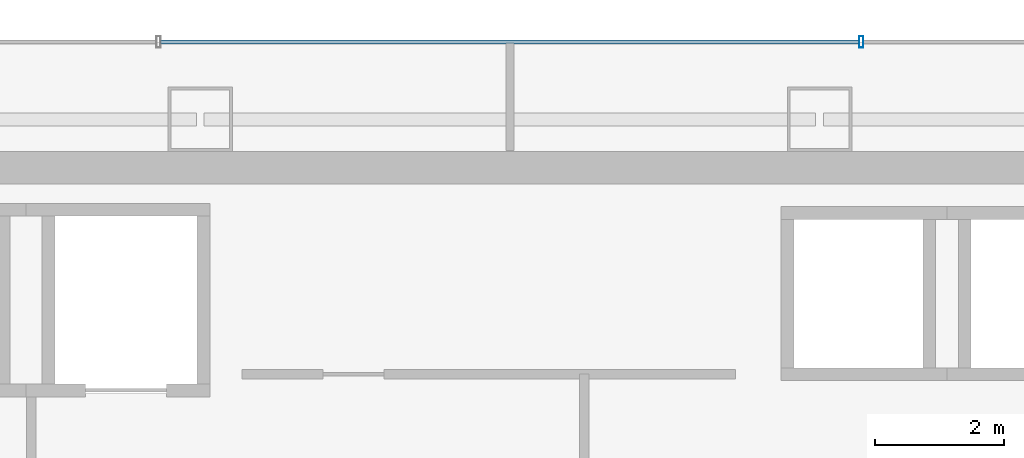
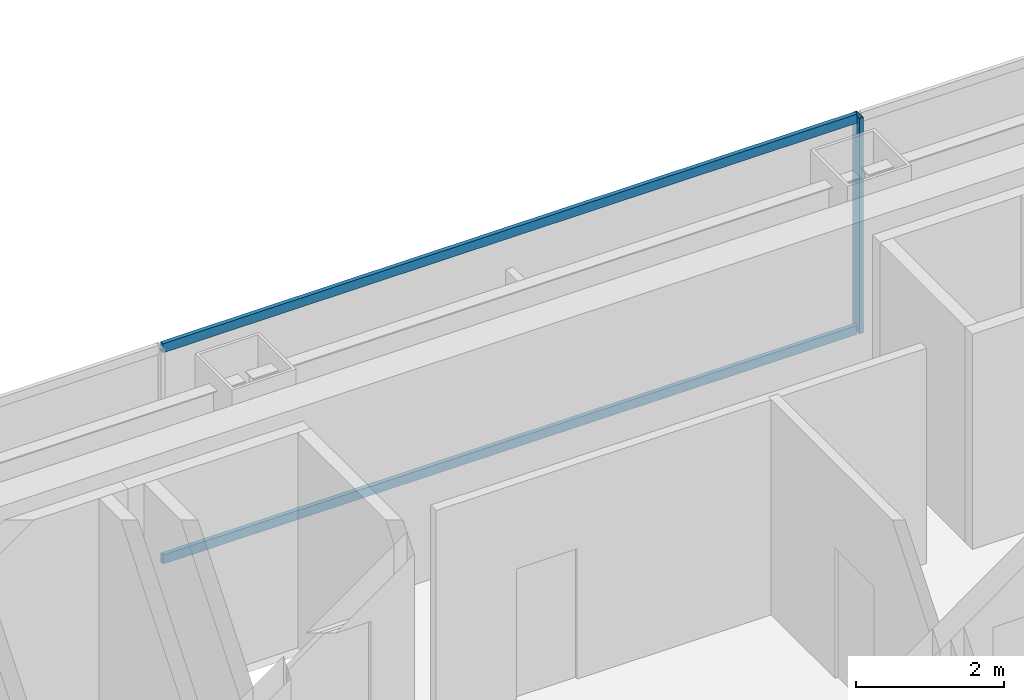
# One storey, part 24 of 37: 3 members, 1 element without a shape of its own.
"""IFC4 building model written with IfcOpenShell, lengths in metres."""

from ifc_helpers import new_model, si_unit, direction, frame, origin, origin_2d, place, context, subcontext, project, spatial, hollow_rectangle, extrude, material, material_profile, profile_set, type_object, element, aggregate, save


model = new_model("IFC4")

# Units and contexts
model_context = context("Model", 3, precision=1e-05, world=origin(), true_north=direction((0.0, 1.0)))
body_context = subcontext(model_context, "Body", "Model", "MODEL_VIEW")
ifc_project = project(units=[si_unit("LENGTHUNIT", "METRE"), si_unit("AREAUNIT", "SQUARE_METRE"), si_unit("VOLUMEUNIT", "CUBIC_METRE"), si_unit("PLANEANGLEUNIT", "RADIAN"), si_unit("MASSUNIT", "GRAM", prefix="KILO")], contexts=[model_context])

# Site, building, storey
site_placement = place(None, origin())
site = spatial("IfcSite", under=ifc_project, at=site_placement, CompositionType="ELEMENT")
building_placement = place(site_placement, origin())
building = spatial("IfcBuilding", under=site, at=building_placement, Name="Saevonmaru Cultural Tower", CompositionType="ELEMENT")
storey_placement = place(building_placement, frame((0.0, 0.0, 141.0)))
storey = spatial("IfcBuildingStorey", under=building, at=storey_placement, Name="L30", CompositionType="ELEMENT", Elevation=141.0)

# Curtain wall, members
ifc_material = material(Name="Satin Bronze Anodised Aluminium", Category="aluminium")
curtain_wall_type = type_object("IfcCurtainWallType", Name="CW-TYP-A", PredefinedType="NOTDEFINED", material=ifc_material)
curtain_wall_placement = place(storey_placement, origin())
curtain_wall = element("IfcCurtainWall", 1, at=curtain_wall_placement, inside=storey, type_object=curtain_wall_type, Name="L30 North Spine Unitised Curtain Wall E10B", PredefinedType="NOTDEFINED")
ifc_material_profile_1 = material_profile(ifc_material, hollow_rectangle(XDim=0.06494140625, YDim=0.179931640625, WallThickness=0.00390625, at=origin_2d()), Name="ALU-MULL-180x65x4")
ifc_profile_set_1 = profile_set([ifc_material_profile_1], Name="Satin Bronze Anodised Aluminium")
member_type_1 = type_object("IfcMemberType", Name="ML-CW-180x65", PredefinedType="MULLION", material=ifc_profile_set_1)
member_1_placement = place(storey_placement, frame((35.44677734375, 56.0, 0.0), z_axis=(0.0, 0.0, 1.0), x_axis=(-1.0, 0.0, 0.0)))
member_1 = element("IfcMember", 2, at=member_1_placement, type_object=member_type_1, Name="CW-TW-L30-E10B mullion 2", PredefinedType="MULLION", context=body_context, shape_type="SweptSolid", body=[
    extrude(hollow_rectangle(XDim=0.06494140625, YDim=0.179931640625, WallThickness=0.00390625, at=origin_2d()), origin(), (0.0, 0.0, 1.0), 3.550048828125),
])
ifc_material_profile_2 = material_profile(ifc_material, hollow_rectangle(XDim=0.06494140625, YDim=0.14990234375, WallThickness=0.00390625, at=origin_2d()), Name="ALU-TRAN-150x65x4")
ifc_profile_set_2 = profile_set([ifc_material_profile_2], Name="Satin Bronze Anodised Aluminium")
member_type_2 = type_object("IfcMemberType", Name="TR-CW-150x65", PredefinedType="USERDEFINED", material=ifc_profile_set_2)
member_2_placement = place(storey_placement, frame((35.4140625, 56.0, 0.032470703125), z_axis=(-1.0, 0.0, 0.0), x_axis=(0.0, -1.0, 0.0)))
member_2 = element("IfcMember", 3, at=member_2_placement, type_object=member_type_2, Name="CW-TW-L30-E10B transom 2.1", ObjectType="TRANSOM", PredefinedType="USERDEFINED", context=body_context, shape_type="SweptSolid", body=[
    extrude(hollow_rectangle(XDim=0.06494140625, YDim=0.14990234375, WallThickness=0.00390625, at=origin_2d()), origin(), (0.0, 0.0, 1.0), 10.828125),
])
member_3_placement = place(storey_placement, frame((35.4140625, 56.0, 3.517578125), z_axis=(-1.0, 0.0, 0.0), x_axis=(0.0, -1.0, 0.0)))
member_3 = element("IfcMember", 4, at=member_3_placement, type_object=member_type_2, Name="CW-TW-L30-E10B transom 2.2", ObjectType="TRANSOM", PredefinedType="USERDEFINED", context=body_context, shape_type="SweptSolid", body=[
    extrude(hollow_rectangle(XDim=0.06494140625, YDim=0.14990234375, WallThickness=0.00390625, at=origin_2d()), origin(), (0.0, 0.0, 1.0), 10.828125),
])
aggregate(curtain_wall, [member_1, member_2, member_3])

save(model, "model.ifc")
